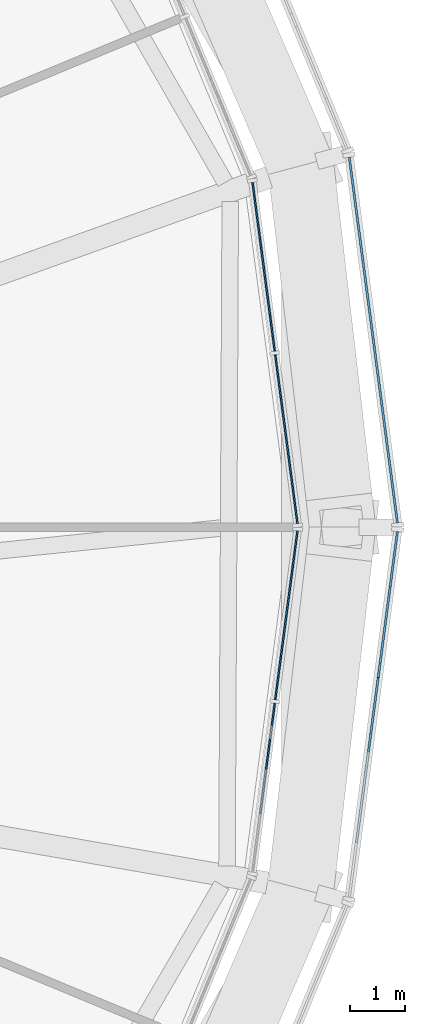
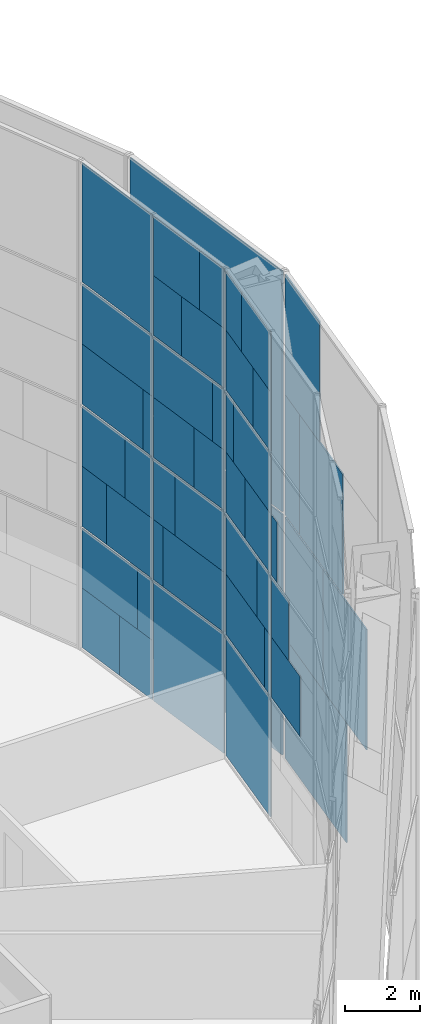
# One storey, part 19 of 28: 49 plates, 4 elements without a shape of their own.
"""IFC4 building model written with IfcOpenShell, lengths in metres."""

from ifc_helpers import new_model, si_unit, direction, frame, origin, origin_2d, place, context, subcontext, project, spatial, rectangle, extrude, material, layer, layer_set, type_object, element, aggregate, save


model = new_model("IFC4")

# Units and contexts
model_context = context("Model", 3, precision=1e-05, world=origin(), true_north=direction((0.0, 1.0)))
body_context = subcontext(model_context, "Body", "Model", "MODEL_VIEW")
ifc_project = project(units=[si_unit("LENGTHUNIT", "METRE"), si_unit("AREAUNIT", "SQUARE_METRE"), si_unit("VOLUMEUNIT", "CUBIC_METRE"), si_unit("PLANEANGLEUNIT", "RADIAN"), si_unit("MASSUNIT", "GRAM", prefix="KILO")], contexts=[model_context])

# Site, building, storey
site_placement = place(None, origin())
site = spatial("IfcSite", under=ifc_project, at=site_placement, CompositionType="ELEMENT")
building_placement = place(site_placement, origin())
building = spatial("IfcBuilding", under=site, at=building_placement, Name="Golbaran Civic Tower", CompositionType="ELEMENT")
storey_placement = place(building_placement, frame((0.0, 0.0, 134.0)))
storey = spatial("IfcBuildingStorey", under=building, at=storey_placement, Name="L32", CompositionType="ELEMENT", Elevation=134.0)

# Curtain wall, plates
ifc_material_1 = material(Name="Aluminium and glass", Category="aluminium")
curtain_wall_type_1 = type_object("IfcCurtainWallType", Name="INNER SKIN CURTAIN WALL", PredefinedType="NOTDEFINED", material=ifc_material_1)
curtain_wall_1_placement = place(storey_placement, origin())
curtain_wall_1 = element("IfcCurtainWall", 1, at=curtain_wall_1_placement, inside=storey, type_object=curtain_wall_type_1, Name="Inner skin L32 facet 1 CW1", ObjectType="INNER SKIN", PredefinedType="USERDEFINED")
ifc_material_2 = material(Name="Clear insulating glass", Category="glass")
ifc_layer_1 = layer(ifc_material_2, 0.031982421875, Name="Clear insulating glass")
ifc_layer_set_1 = layer_set([ifc_layer_1], Name="Clear insulating glass")
plate_type_1 = type_object("IfcPlateType", Name="INNER SKIN CURTAIN WALL GLAZED PANEL", PredefinedType="CURTAIN_PANEL", material=ifc_layer_set_1)
plate_1_placement = place(storey_placement, frame((24.21484375, 1.596435546875, 0.06494140625), z_axis=(0.0, 0.0, 1.0), x_axis=(-0.130526192237, 0.991444861372, 0.0)))
plate_1 = element("IfcPlate", 2, at=plate_1_placement, type_object=plate_type_1, Name="CW1 panel 1.1", PredefinedType="CURTAIN_PANEL", context=body_context, shape_type="SweptSolid", body=[
    extrude(rectangle(XDim=3.090576171875, YDim=0.031982421875, at=origin_2d()), origin(), (0.0, 0.0, 1.0), 3.902587890625),
])
plate_2_placement = place(storey_placement, frame((24.240966796875, 1.3974609375, 4.03271484375), z_axis=(0.0, 0.0, 1.0), x_axis=(-0.130526192237, 0.991444861372, 0.0)))
plate_2 = element("IfcPlate", 3, at=plate_2_placement, type_object=plate_type_1, Name="CW1 panel 1.2 part 1", PredefinedType="CURTAIN_PANEL", context=body_context, shape_type="SweptSolid", body=[
    extrude(rectangle(XDim=2.68896484375, YDim=0.031982421875, at=origin_2d()), origin(), (0.0, 0.0, 1.0), 1.967529296875),
])
plate_3_placement = place(storey_placement, frame((24.276123046875, 1.130859375, 6.0), z_axis=(0.0, 0.0, 1.0), x_axis=(-0.130526192237, 0.991444861372, 0.0)))
plate_3 = element("IfcPlate", 4, at=plate_3_placement, type_object=plate_type_1, Name="CW1 panel 1.2 part 3", PredefinedType="CURTAIN_PANEL", context=body_context, shape_type="SweptSolid", body=[
    extrude(rectangle(XDim=2.15087890625, YDim=0.031982421875, at=origin_2d()), origin(), (0.0, 0.0, 1.0), 1.967529296875),
])
plate_4_placement = place(storey_placement, frame((24.330810546875, 0.71533203125, 8.03271484375), z_axis=(0.0, 0.0, 1.0), x_axis=(-0.130526192237, 0.991444861372, 0.0)))
plate_4 = element("IfcPlate", 5, at=plate_4_placement, type_object=plate_type_1, Name="CW1 panel 1.3 part 1", PredefinedType="CURTAIN_PANEL", context=body_context, shape_type="SweptSolid", body=[
    extrude(rectangle(XDim=1.31298828125, YDim=0.031982421875, at=origin_2d()), origin(), (0.0, 0.0, 1.0), 1.967529296875),
])
plate_5_placement = place(storey_placement, frame((24.3837890625, 0.312744140625, 10.0), z_axis=(0.0, 0.0, 1.0), x_axis=(-0.130526192237, 0.991444861372, 0.0)))
plate_5 = element("IfcPlate", 6, at=plate_5_placement, type_object=plate_type_1, Name="CW1 panel 1.3 part 3", PredefinedType="CURTAIN_PANEL", context=body_context, shape_type="SweptSolid", body=[
    extrude(rectangle(XDim=0.5009765625, YDim=0.031982421875, at=origin_2d()), origin(), (0.0, 0.0, 1.0), 1.967529296875),
])
plate_6_placement = place(storey_placement, frame((24.092529296875, 2.5244140625, 12.032470703125), z_axis=(0.0, 0.0, 1.0), x_axis=(-0.130526192237, 0.991444861372, 0.0)))
plate_6 = element("IfcPlate", 7, at=plate_6_placement, type_object=plate_type_1, Name="CW1 panel 1.4 part 2", PredefinedType="CURTAIN_PANEL", context=body_context, shape_type="SweptSolid", body=[
    extrude(rectangle(XDim=1.218505859375, YDim=0.031982421875, at=origin_2d()), origin(), (0.0, 0.0, 1.0), 1.951171875),
])
plate_7_placement = place(storey_placement, frame((24.145263671875, 2.12548828125, 13.98388671875), z_axis=(0.0, 0.0, 1.0), x_axis=(-0.130526192237, 0.991444861372, 0.0)))
plate_7 = element("IfcPlate", 8, at=plate_7_placement, type_object=plate_type_1, Name="CW1 panel 1.4 part 4", PredefinedType="CURTAIN_PANEL", context=body_context, shape_type="SweptSolid", body=[
    extrude(rectangle(XDim=2.023681640625, YDim=0.031982421875, at=origin_2d()), origin(), (0.0, 0.0, 1.0), 1.951171875),
])
plate_8_placement = place(storey_placement, frame((23.909912109375, 3.912353515625, 0.06494140625), z_axis=(0.0, 0.0, 1.0), x_axis=(-0.130526192237, 0.991444861372, 0.0)))
plate_8 = element("IfcPlate", 9, at=plate_8_placement, type_object=plate_type_1, Name="CW1 panel 2.1 part 1", PredefinedType="CURTAIN_PANEL", context=body_context, shape_type="SweptSolid", body=[
    extrude(rectangle(XDim=1.450927734375, YDim=0.031982421875, at=origin_2d()), origin(), (0.0, 0.0, 1.0), 1.951171875),
])
plate_9_placement = place(storey_placement, frame((23.96240234375, 3.51318359375, 2.016357421875), z_axis=(0.0, 0.0, 1.0), x_axis=(-0.130526192237, 0.991444861372, 0.0)))
plate_9 = element("IfcPlate", 10, at=plate_9_placement, type_object=plate_type_1, Name="CW1 panel 2.1 part 3", PredefinedType="CURTAIN_PANEL", context=body_context, shape_type="SweptSolid", body=[
    extrude(rectangle(XDim=0.64599609375, YDim=0.031982421875, at=origin_2d()), origin(), (0.0, 0.0, 1.0), 1.951171875),
])
plate_10_placement = place(storey_placement, frame((23.67138671875, 5.72509765625, 4.03271484375), z_axis=(0.0, 0.0, 1.0), x_axis=(-0.130526192237, 0.991444861372, 0.0)))
plate_10 = element("IfcPlate", 11, at=plate_10_placement, type_object=plate_type_1, Name="CW1 panel 2.2 part 2", PredefinedType="CURTAIN_PANEL", context=body_context, shape_type="SweptSolid", body=[
    extrude(rectangle(XDim=1.073486328125, YDim=0.031982421875, at=origin_2d()), origin(), (0.0, 0.0, 1.0), 1.967529296875),
])
plate_11_placement = place(storey_placement, frame((23.72412109375, 5.322998046875, 6.0), z_axis=(0.0, 0.0, 1.0), x_axis=(-0.130526192237, 0.991444861372, 0.0)))
plate_11 = element("IfcPlate", 12, at=plate_11_placement, type_object=plate_type_1, Name="CW1 panel 2.2 part 4", PredefinedType="CURTAIN_PANEL", context=body_context, shape_type="SweptSolid", body=[
    extrude(rectangle(XDim=1.884521484375, YDim=0.031982421875, at=origin_2d()), origin(), (0.0, 0.0, 1.0), 1.967529296875),
])
plate_12_placement = place(storey_placement, frame((23.77685546875, 4.923828125, 8.03271484375), z_axis=(0.0, 0.0, 1.0), x_axis=(-0.130526192237, 0.991444861372, 0.0)))
plate_12 = element("IfcPlate", 13, at=plate_12_placement, type_object=plate_type_1, Name="CW1 panel 2.3 part 2", PredefinedType="CURTAIN_PANEL", context=body_context, shape_type="SweptSolid", body=[
    extrude(rectangle(XDim=2.689697265625, YDim=0.031982421875, at=origin_2d()), origin(), (0.0, 0.0, 1.0), 1.967529296875),
])
plate_13_placement = place(storey_placement, frame((23.802978515625, 4.72509765625, 10.0), z_axis=(0.0, 0.0, 1.0), x_axis=(-0.130526192237, 0.991444861372, 0.0)))
plate_13 = element("IfcPlate", 14, at=plate_13_placement, type_object=plate_type_1, Name="CW1 panel 2.3 part 3", PredefinedType="CURTAIN_PANEL", context=body_context, shape_type="SweptSolid", body=[
    extrude(rectangle(XDim=3.090576171875, YDim=0.031982421875, at=origin_2d()), origin(), (0.0, 0.0, 1.0), 1.967529296875),
])
plate_14_placement = place(storey_placement, frame((23.802978515625, 4.72509765625, 12.0322265625), z_axis=(0.0, 0.0, 1.0), x_axis=(-0.130526192237, 0.991444861372, 0.0)))
plate_14 = element("IfcPlate", 15, at=plate_14_placement, type_object=plate_type_1, Name="CW1 panel 2.4", PredefinedType="CURTAIN_PANEL", context=body_context, shape_type="SweptSolid", body=[
    extrude(rectangle(XDim=3.090576171875, YDim=0.031982421875, at=origin_2d()), origin(), (0.0, 0.0, 1.0), 3.902587890625),
])

curtain_wall_2_placement = place(storey_placement, origin())
curtain_wall_2 = element("IfcCurtainWall", 16, at=curtain_wall_2_placement, inside=storey, type_object=curtain_wall_type_1, Name="Inner skin L32 facet 24 CW1", ObjectType="INNER SKIN", PredefinedType="USERDEFINED")
plate_15_placement = place(storey_placement, frame((24.21484375, -1.596435546875, 0.06494140625), z_axis=(0.0, 0.0, 1.0), x_axis=(0.130526192237, 0.991444861372, 0.0)))
plate_15 = element("IfcPlate", 17, at=plate_15_placement, type_object=plate_type_1, Name="CW1 panel 2.1", PredefinedType="CURTAIN_PANEL", context=body_context, shape_type="SweptSolid", body=[
    extrude(rectangle(XDim=3.090576171875, YDim=0.031982421875, at=origin_2d()), origin(), (0.0, 0.0, 1.0), 3.902587890625),
])
plate_16_placement = place(storey_placement, frame((24.240966796875, -1.397705078125, 4.03271484375), z_axis=(0.0, 0.0, 1.0), x_axis=(0.130526192237, 0.991444861372, 0.0)))
plate_16 = element("IfcPlate", 18, at=plate_16_placement, type_object=plate_type_1, Name="CW1 panel 2.2 part 2", PredefinedType="CURTAIN_PANEL", context=body_context, shape_type="SweptSolid", body=[
    extrude(rectangle(XDim=2.689697265625, YDim=0.031982421875, at=origin_2d()), origin(), (0.0, 0.0, 1.0), 1.967529296875),
])
plate_17_placement = place(storey_placement, frame((24.276123046875, -1.131103515625, 6.0), z_axis=(0.0, 0.0, 1.0), x_axis=(0.130526192237, 0.991444861372, 0.0)))
plate_17 = element("IfcPlate", 19, at=plate_17_placement, type_object=plate_type_1, Name="CW1 panel 2.2 part 4", PredefinedType="CURTAIN_PANEL", context=body_context, shape_type="SweptSolid", body=[
    extrude(rectangle(XDim=2.151611328125, YDim=0.031982421875, at=origin_2d()), origin(), (0.0, 0.0, 1.0), 1.967529296875),
])
plate_18_placement = place(storey_placement, frame((24.330810546875, -0.715087890625, 8.03271484375), z_axis=(0.0, 0.0, 1.0), x_axis=(0.130526192237, 0.991444861372, 0.0)))
plate_18 = element("IfcPlate", 20, at=plate_18_placement, type_object=plate_type_1, Name="CW1 panel 2.3 part 2", PredefinedType="CURTAIN_PANEL", context=body_context, shape_type="SweptSolid", body=[
    extrude(rectangle(XDim=1.3125, YDim=0.031982421875, at=origin_2d()), origin(), (0.0, 0.0, 1.0), 1.967529296875),
])
plate_19_placement = place(storey_placement, frame((24.3837890625, -0.31298828125, 10.0), z_axis=(0.0, 0.0, 1.0), x_axis=(0.130526192237, 0.991444861372, 0.0)))
plate_19 = element("IfcPlate", 21, at=plate_19_placement, type_object=plate_type_1, Name="CW1 panel 2.3 part 4", PredefinedType="CURTAIN_PANEL", context=body_context, shape_type="SweptSolid", body=[
    extrude(rectangle(XDim=0.501708984375, YDim=0.031982421875, at=origin_2d()), origin(), (0.0, 0.0, 1.0), 1.967529296875),
])
plate_20_placement = place(storey_placement, frame((24.092529296875, -2.52490234375, 12.032470703125), z_axis=(0.0, 0.0, 1.0), x_axis=(0.130526192237, 0.991444861372, 0.0)))
plate_20 = element("IfcPlate", 22, at=plate_20_placement, type_object=plate_type_1, Name="CW1 panel 2.4 part 1", PredefinedType="CURTAIN_PANEL", context=body_context, shape_type="SweptSolid", body=[
    extrude(rectangle(XDim=1.218017578125, YDim=0.031982421875, at=origin_2d()), origin(), (0.0, 0.0, 1.0), 1.951171875),
])
plate_21_placement = place(storey_placement, frame((24.14501953125, -2.125732421875, 13.98388671875), z_axis=(0.0, 0.0, 1.0), x_axis=(0.130526192237, 0.991444861372, 0.0)))
plate_21 = element("IfcPlate", 23, at=plate_21_placement, type_object=plate_type_1, Name="CW1 panel 2.4 part 3", PredefinedType="CURTAIN_PANEL", context=body_context, shape_type="SweptSolid", body=[
    extrude(rectangle(XDim=2.02294921875, YDim=0.031982421875, at=origin_2d()), origin(), (0.0, 0.0, 1.0), 1.951171875),
])

# Plate
ifc_material_3 = material(Name="Aluminium faced opaque infill panel", Category="aluminium")
ifc_layer_2 = layer(ifc_material_3, 0.031982421875, Name="Aluminium faced opaque infill panel")
ifc_layer_set_2 = layer_set([ifc_layer_2], Name="Aluminium faced opaque infill panel")
plate_type_2 = type_object("IfcPlateType", Name="INNER SKIN CURTAIN WALL OPAQUE INFILL PANEL", PredefinedType="CURTAIN_PANEL", material=ifc_layer_set_2)
plate_22_placement = place(storey_placement, frame((24.039306640625, 2.929443359375, 4.03271484375), z_axis=(0.0, 0.0, 1.0), x_axis=(-0.130526192237, 0.991444861372, 0.0)))
plate_22 = element("IfcPlate", 24, at=plate_22_placement, type_object=plate_type_2, Name="CW1 infill panel 1.2 part 2", PredefinedType="CURTAIN_PANEL", context=body_context, shape_type="SweptSolid", body=[
    extrude(rectangle(XDim=0.401611328125, YDim=0.031982421875, at=origin_2d()), origin(), (0.0, 0.0, 1.0), 1.967529296875),
])

plate_23_placement = place(storey_placement, frame((24.074462890625, 2.662841796875, 6.0), z_axis=(0.0, 0.0, 1.0), x_axis=(-0.130526192237, 0.991444861372, 0.0)))
plate_23 = element("IfcPlate", 25, at=plate_23_placement, type_object=plate_type_2, Name="CW1 infill panel 1.2 part 4", PredefinedType="CURTAIN_PANEL", context=body_context, shape_type="SweptSolid", body=[
    extrude(rectangle(XDim=0.939697265625, YDim=0.031982421875, at=origin_2d()), origin(), (0.0, 0.0, 1.0), 1.967529296875),
])

plate_24_placement = place(storey_placement, frame((24.129150390625, 2.247314453125, 8.03271484375), z_axis=(0.0, 0.0, 1.0), x_axis=(-0.130526192237, 0.991444861372, 0.0)))
plate_24 = element("IfcPlate", 26, at=plate_24_placement, type_object=plate_type_2, Name="CW1 infill panel 1.3 part 2", PredefinedType="CURTAIN_PANEL", context=body_context, shape_type="SweptSolid", body=[
    extrude(rectangle(XDim=1.777587890625, YDim=0.031982421875, at=origin_2d()), origin(), (0.0, 0.0, 1.0), 1.967529296875),
])

plate_25_placement = place(storey_placement, frame((24.18212890625, 1.844970703125, 10.0), z_axis=(0.0, 0.0, 1.0), x_axis=(-0.130526192237, 0.991444861372, 0.0)))
plate_25 = element("IfcPlate", 27, at=plate_25_placement, type_object=plate_type_2, Name="CW1 infill panel 1.3 part 4", PredefinedType="CURTAIN_PANEL", context=body_context, shape_type="SweptSolid", body=[
    extrude(rectangle(XDim=2.589599609375, YDim=0.031982421875, at=origin_2d()), origin(), (0.0, 0.0, 1.0), 1.967529296875),
])

plate_26_placement = place(storey_placement, frame((24.29443359375, 0.992431640625, 12.032470703125), z_axis=(0.0, 0.0, 1.0), x_axis=(-0.130526192237, 0.991444861372, 0.0)))
plate_26 = element("IfcPlate", 28, at=plate_26_placement, type_object=plate_type_2, Name="CW1 infill panel 1.4 part 1", PredefinedType="CURTAIN_PANEL", context=body_context, shape_type="SweptSolid", body=[
    extrude(rectangle(XDim=1.8720703125, YDim=0.031982421875, at=origin_2d()), origin(), (0.0, 0.0, 1.0), 1.951171875),
])

plate_27_placement = place(storey_placement, frame((24.346923828125, 0.59326171875, 13.98388671875), z_axis=(0.0, 0.0, 1.0), x_axis=(-0.130526192237, 0.991444861372, 0.0)))
plate_27 = element("IfcPlate", 29, at=plate_27_placement, type_object=plate_type_2, Name="CW1 infill panel 1.4 part 3", PredefinedType="CURTAIN_PANEL", context=body_context, shape_type="SweptSolid", body=[
    extrude(rectangle(XDim=1.06689453125, YDim=0.031982421875, at=origin_2d()), origin(), (0.0, 0.0, 1.0), 1.951171875),
])

plate_28_placement = place(storey_placement, frame((23.708251953125, 5.4443359375, 0.06494140625), z_axis=(0.0, 0.0, 1.0), x_axis=(-0.130526192237, 0.991444861372, 0.0)))
plate_28 = element("IfcPlate", 30, at=plate_28_placement, type_object=plate_type_2, Name="CW1 infill panel 2.1 part 2", PredefinedType="CURTAIN_PANEL", context=body_context, shape_type="SweptSolid", body=[
    extrude(rectangle(XDim=1.6396484375, YDim=0.031982421875, at=origin_2d()), origin(), (0.0, 0.0, 1.0), 1.951171875),
])

plate_29_placement = place(storey_placement, frame((23.7607421875, 5.04541015625, 2.016357421875), z_axis=(0.0, 0.0, 1.0), x_axis=(-0.130526192237, 0.991444861372, 0.0)))
plate_29 = element("IfcPlate", 31, at=plate_29_placement, type_object=plate_type_2, Name="CW1 infill panel 2.1 part 4", PredefinedType="CURTAIN_PANEL", context=body_context, shape_type="SweptSolid", body=[
    extrude(rectangle(XDim=2.444580078125, YDim=0.031982421875, at=origin_2d()), origin(), (0.0, 0.0, 1.0), 1.951171875),
])

plate_30_placement = place(storey_placement, frame((23.873046875, 4.19287109375, 4.03271484375), z_axis=(0.0, 0.0, 1.0), x_axis=(-0.130526192237, 0.991444861372, 0.0)))
plate_30 = element("IfcPlate", 32, at=plate_30_placement, type_object=plate_type_2, Name="CW1 infill panel 2.2 part 1", PredefinedType="CURTAIN_PANEL", context=body_context, shape_type="SweptSolid", body=[
    extrude(rectangle(XDim=2.01708984375, YDim=0.031982421875, at=origin_2d()), origin(), (0.0, 0.0, 1.0), 1.967529296875),
])

plate_31_placement = place(storey_placement, frame((23.926025390625, 3.790771484375, 6.0), z_axis=(0.0, 0.0, 1.0), x_axis=(-0.130526192237, 0.991444861372, 0.0)))
plate_31 = element("IfcPlate", 33, at=plate_31_placement, type_object=plate_type_2, Name="CW1 infill panel 2.2 part 3", PredefinedType="CURTAIN_PANEL", context=body_context, shape_type="SweptSolid", body=[
    extrude(rectangle(XDim=1.2060546875, YDim=0.031982421875, at=origin_2d()), origin(), (0.0, 0.0, 1.0), 1.967529296875),
])

plate_32_placement = place(storey_placement, frame((23.978515625, 3.391845703125, 8.03271484375), z_axis=(0.0, 0.0, 1.0), x_axis=(-0.130526192237, 0.991444861372, 0.0)))
plate_32 = element("IfcPlate", 34, at=plate_32_placement, type_object=plate_type_2, Name="CW1 infill panel 2.3 part 1", PredefinedType="CURTAIN_PANEL", context=body_context, shape_type="SweptSolid", body=[
    extrude(rectangle(XDim=0.40087890625, YDim=0.031982421875, at=origin_2d()), origin(), (0.0, 0.0, 1.0), 1.967529296875),
])

aggregate(curtain_wall_1, [plate_1, plate_2, plate_22, plate_3, plate_23, plate_4, plate_24, plate_5, plate_25, plate_26, plate_6, plate_27, plate_7, plate_8, plate_28, plate_9, plate_29, plate_30, plate_10, plate_31, plate_11, plate_32, plate_12, plate_13, plate_14])

plate_33_placement = place(storey_placement, frame((23.873046875, -4.193115234375, 4.03271484375), z_axis=(0.0, 0.0, 1.0), x_axis=(0.130526192237, 0.991444861372, 0.0)))
plate_33 = element("IfcPlate", 35, at=plate_33_placement, type_object=plate_type_2, Name="CW1 infill panel 1.2 part 2", PredefinedType="CURTAIN_PANEL", context=body_context, shape_type="SweptSolid", body=[
    extrude(rectangle(XDim=2.017578125, YDim=0.031982421875, at=origin_2d()), origin(), (0.0, 0.0, 1.0), 1.967529296875),
])

plate_34_placement = place(storey_placement, frame((23.926025390625, -3.790771484375, 6.0), z_axis=(0.0, 0.0, 1.0), x_axis=(0.130526192237, 0.991444861372, 0.0)))
plate_34 = element("IfcPlate", 36, at=plate_34_placement, type_object=plate_type_2, Name="CW1 infill panel 1.2 part 4", PredefinedType="CURTAIN_PANEL", context=body_context, shape_type="SweptSolid", body=[
    extrude(rectangle(XDim=1.20556640625, YDim=0.031982421875, at=origin_2d()), origin(), (0.0, 0.0, 1.0), 1.967529296875),
])

plate_35_placement = place(storey_placement, frame((23.978515625, -3.39208984375, 8.03271484375), z_axis=(0.0, 0.0, 1.0), x_axis=(0.130526192237, 0.991444861372, 0.0)))
plate_35 = element("IfcPlate", 37, at=plate_35_placement, type_object=plate_type_2, Name="CW1 infill panel 1.3 part 2", PredefinedType="CURTAIN_PANEL", context=body_context, shape_type="SweptSolid", body=[
    extrude(rectangle(XDim=0.401611328125, YDim=0.031982421875, at=origin_2d()), origin(), (0.0, 0.0, 1.0), 1.967529296875),
])

plate_36_placement = place(storey_placement, frame((24.039306640625, -2.929931640625, 4.03271484375), z_axis=(0.0, 0.0, 1.0), x_axis=(0.130526192237, 0.991444861372, 0.0)))
plate_36 = element("IfcPlate", 38, at=plate_36_placement, type_object=plate_type_2, Name="CW1 infill panel 2.2 part 1", PredefinedType="CURTAIN_PANEL", context=body_context, shape_type="SweptSolid", body=[
    extrude(rectangle(XDim=0.40087890625, YDim=0.031982421875, at=origin_2d()), origin(), (0.0, 0.0, 1.0), 1.967529296875),
])

plate_37_placement = place(storey_placement, frame((24.074462890625, -2.6630859375, 6.0), z_axis=(0.0, 0.0, 1.0), x_axis=(0.130526192237, 0.991444861372, 0.0)))
plate_37 = element("IfcPlate", 39, at=plate_37_placement, type_object=plate_type_2, Name="CW1 infill panel 2.2 part 3", PredefinedType="CURTAIN_PANEL", context=body_context, shape_type="SweptSolid", body=[
    extrude(rectangle(XDim=0.93896484375, YDim=0.031982421875, at=origin_2d()), origin(), (0.0, 0.0, 1.0), 1.967529296875),
])

plate_38_placement = place(storey_placement, frame((24.129150390625, -2.247314453125, 8.03271484375), z_axis=(0.0, 0.0, 1.0), x_axis=(0.130526192237, 0.991444861372, 0.0)))
plate_38 = element("IfcPlate", 40, at=plate_38_placement, type_object=plate_type_2, Name="CW1 infill panel 2.3 part 1", PredefinedType="CURTAIN_PANEL", context=body_context, shape_type="SweptSolid", body=[
    extrude(rectangle(XDim=1.778076171875, YDim=0.031982421875, at=origin_2d()), origin(), (0.0, 0.0, 1.0), 1.967529296875),
])

plate_39_placement = place(storey_placement, frame((24.18212890625, -1.84521484375, 10.0), z_axis=(0.0, 0.0, 1.0), x_axis=(0.130526192237, 0.991444861372, 0.0)))
plate_39 = element("IfcPlate", 41, at=plate_39_placement, type_object=plate_type_2, Name="CW1 infill panel 2.3 part 3", PredefinedType="CURTAIN_PANEL", context=body_context, shape_type="SweptSolid", body=[
    extrude(rectangle(XDim=2.589111328125, YDim=0.031982421875, at=origin_2d()), origin(), (0.0, 0.0, 1.0), 1.967529296875),
])

plate_40_placement = place(storey_placement, frame((24.294189453125, -0.99267578125, 12.032470703125), z_axis=(0.0, 0.0, 1.0), x_axis=(0.130526192237, 0.991444861372, 0.0)))
plate_40 = element("IfcPlate", 42, at=plate_40_placement, type_object=plate_type_2, Name="CW1 infill panel 2.4 part 2", PredefinedType="CURTAIN_PANEL", context=body_context, shape_type="SweptSolid", body=[
    extrude(rectangle(XDim=1.87255859375, YDim=0.031982421875, at=origin_2d()), origin(), (0.0, 0.0, 1.0), 1.951171875),
])

plate_41_placement = place(storey_placement, frame((24.346923828125, -0.59375, 13.98388671875), z_axis=(0.0, 0.0, 1.0), x_axis=(0.130526192237, 0.991444861372, 0.0)))
plate_41 = element("IfcPlate", 43, at=plate_41_placement, type_object=plate_type_2, Name="CW1 infill panel 2.4 part 4", PredefinedType="CURTAIN_PANEL", context=body_context, shape_type="SweptSolid", body=[
    extrude(rectangle(XDim=1.067626953125, YDim=0.031982421875, at=origin_2d()), origin(), (0.0, 0.0, 1.0), 1.951171875),
])

aggregate(curtain_wall_2, [plate_33, plate_34, plate_35, plate_15, plate_36, plate_16, plate_37, plate_17, plate_38, plate_18, plate_39, plate_19, plate_20, plate_40, plate_21, plate_41])

# Curtain wall, plates
curtain_wall_type_2 = type_object("IfcCurtainWallType", Name="OUTER SKIN TERRACOTTA SCREEN", PredefinedType="NOTDEFINED", material=ifc_material_1)
curtain_wall_3_placement = place(storey_placement, origin())
curtain_wall_3 = element("IfcCurtainWall", 44, at=curtain_wall_3_placement, inside=storey, type_object=curtain_wall_type_2, Name="Outer skin L32 facet 24 CW3", ObjectType="OUTER SKIN", PredefinedType="USERDEFINED")
ifc_material_4 = material(Name="Clear laminated glass", Category="glass")
ifc_layer_3 = layer(ifc_material_4, 0.0400390625, Name="Clear laminated glass")
ifc_layer_set_3 = layer_set([ifc_layer_3], Name="Clear laminated glass")
plate_type_3 = type_object("IfcPlateType", Name="OUTER SKIN CLEAR GLASS PANEL", PredefinedType="CURTAIN_PANEL", material=ifc_layer_set_3)
plate_42_placement = place(storey_placement, frame((25.94921875, -2.20849609375, -0.6298828125), z_axis=(0.0, 0.0, 1.0), x_axis=(0.130526192203, 0.991444861376, 0.0)))
plate_42 = element("IfcPlate", 45, at=plate_42_placement, type_object=plate_type_3, Name="CW3 panel 1.1 part 2", PredefinedType="CURTAIN_PANEL", context=body_context, shape_type="SweptSolid", body=[
    extrude(rectangle(XDim=4.294921875, YDim=0.0400390625, at=origin_2d()), origin(), (0.0, 0.0, 1.0), 3.93994140625),
])
plate_43_placement = place(storey_placement, frame((26.055419921875, -1.40234375, 3.31005859375), z_axis=(0.0, 0.0, 1.0), x_axis=(0.130526192203, 0.991444861376, 0.0)))
plate_43 = element("IfcPlate", 46, at=plate_43_placement, type_object=plate_type_3, Name="CW3 panel 1.1 part 5", PredefinedType="CURTAIN_PANEL", context=body_context, shape_type="SweptSolid", body=[
    extrude(rectangle(XDim=2.6689453125, YDim=0.0400390625, at=origin_2d()), origin(), (0.0, 0.0, 1.0), 3.93994140625),
])
plate_44_placement = place(storey_placement, frame((26.16357421875, -0.58056640625, 7.330078125), z_axis=(0.0, 0.0, 1.0), x_axis=(0.130526192203, 0.991444861376, 0.0)))
plate_44 = element("IfcPlate", 47, at=plate_44_placement, type_object=plate_type_3, Name="CW3 panel 1.2 part 3", PredefinedType="CURTAIN_PANEL", context=body_context, shape_type="SweptSolid", body=[
    extrude(rectangle(XDim=1.010986328125, YDim=0.0400390625, at=origin_2d()), origin(), (0.0, 0.0, 1.0), 3.93994140625),
])
ifc_material_5 = material(Name="Terracotta baguette screen", Category="masonry")
ifc_layer_4 = layer(ifc_material_5, 0.0400390625, Name="Terracotta baguette screen")
ifc_layer_set_4 = layer_set([ifc_layer_4], Name="Terracotta baguette screen")
plate_type_4 = type_object("IfcPlateType", Name="OUTER SKIN TERRACOTTA INFILL PANEL", PredefinedType="CURTAIN_PANEL", material=ifc_layer_set_4)
plate_45_placement = place(storey_placement, frame((25.683837890625, -4.224609375, 3.31005859375), z_axis=(0.0, 0.0, 1.0), x_axis=(0.130526192203, 0.991444861376, 0.0)))
plate_45 = element("IfcPlate", 48, at=plate_45_placement, type_object=plate_type_4, Name="CW3 infill panel 1.1 part 4", PredefinedType="CURTAIN_PANEL", context=body_context, shape_type="SweptSolid", body=[
    extrude(rectangle(XDim=3.02392578125, YDim=0.0400390625, at=origin_2d()), origin(), (0.0, 0.0, 1.0), 3.93994140625),
])
plate_46_placement = place(storey_placement, frame((25.900390625, -2.580322265625, 7.330078125), z_axis=(0.0, 0.0, 1.0), x_axis=(0.130526192203, 0.991444861376, 0.0)))
plate_46 = element("IfcPlate", 49, at=plate_46_placement, type_object=plate_type_4, Name="CW3 infill panel 1.2 part 2", PredefinedType="CURTAIN_PANEL", context=body_context, shape_type="SweptSolid", body=[
    extrude(rectangle(XDim=3.02294921875, YDim=0.0400390625, at=origin_2d()), origin(), (0.0, 0.0, 1.0), 3.93994140625),
])
plate_47_placement = place(storey_placement, frame((26.072509765625, -1.27294921875, 11.27001953125), z_axis=(0.0, 0.0, 1.0), x_axis=(0.130526192203, 0.991444861376, 0.0)))
plate_47 = element("IfcPlate", 50, at=plate_47_placement, type_object=plate_type_4, Name="CW3 infill panel 1.2 part 5", PredefinedType="CURTAIN_PANEL", context=body_context, shape_type="SweptSolid", body=[
    extrude(rectangle(XDim=2.407958984375, YDim=0.0400390625, at=origin_2d()), origin(), (0.0, 0.0, 1.0), 3.93994140625),
])
aggregate(curtain_wall_3, [plate_42, plate_45, plate_43, plate_46, plate_44, plate_47])

curtain_wall_4_placement = place(storey_placement, origin())
curtain_wall_4 = element("IfcCurtainWall", 51, at=curtain_wall_4_placement, inside=storey, type_object=curtain_wall_type_2, Name="Outer skin L32 facet 1 CW3", ObjectType="OUTER SKIN", PredefinedType="USERDEFINED")
ifc_layer_5 = layer(ifc_material_5, 0.0400390625, Name="Terracotta baguette screen")
ifc_layer_set_5 = layer_set([ifc_layer_5], Name="Terracotta baguette screen")
plate_type_5 = type_object("IfcPlateType", Name="OUTER SKIN TERRACOTTA SCREEN PANEL", PredefinedType="CURTAIN_PANEL", material=ifc_layer_set_5)
plate_48_placement = place(storey_placement, frame((25.79296875, 3.395751953125, -0.6298828125), z_axis=(0.0, 0.0, 1.0), x_axis=(-0.130526192203, 0.991444861376, 0.0)))
plate_48 = element("IfcPlate", 52, at=plate_48_placement, type_object=plate_type_5, Name="CW3 terracotta screen panel 1.1", PredefinedType="CURTAIN_PANEL", context=body_context, shape_type="SweptSolid", body=[
    extrude(rectangle(XDim=6.68994140625, YDim=0.0400390625, at=origin_2d()), origin(), (0.0, 0.0, 1.0), 7.8798828125),
])
plate_49_placement = place(storey_placement, frame((25.79296875, 3.395751953125, 7.330078125), z_axis=(0.0, 0.0, 1.0), x_axis=(-0.130526192203, 0.991444861376, 0.0)))
plate_49 = element("IfcPlate", 53, at=plate_49_placement, type_object=plate_type_5, Name="CW3 terracotta screen panel 1.2", PredefinedType="CURTAIN_PANEL", context=body_context, shape_type="SweptSolid", body=[
    extrude(rectangle(XDim=6.68994140625, YDim=0.0400390625, at=origin_2d()), origin(), (0.0, 0.0, 1.0), 7.8798828125),
])
aggregate(curtain_wall_4, [plate_48, plate_49])

save(model, "model.ifc")
